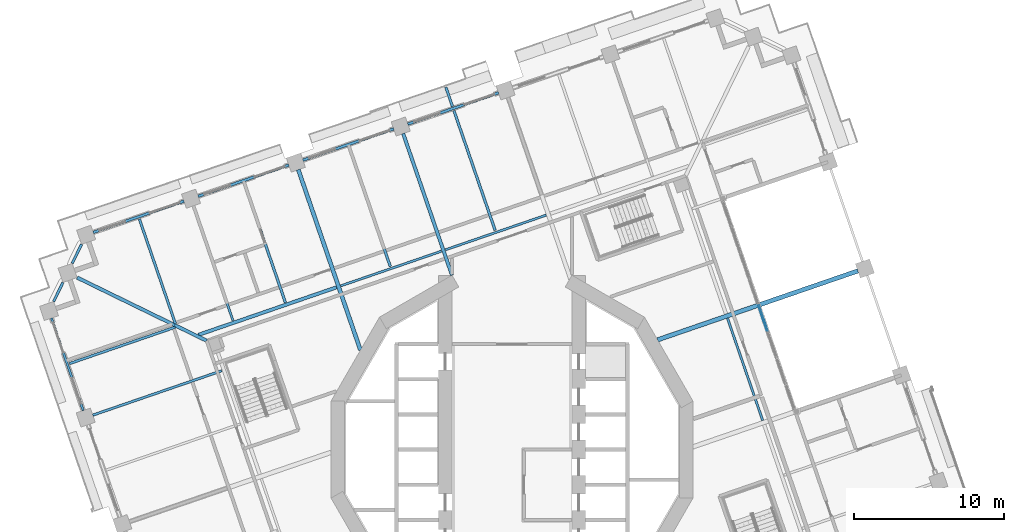
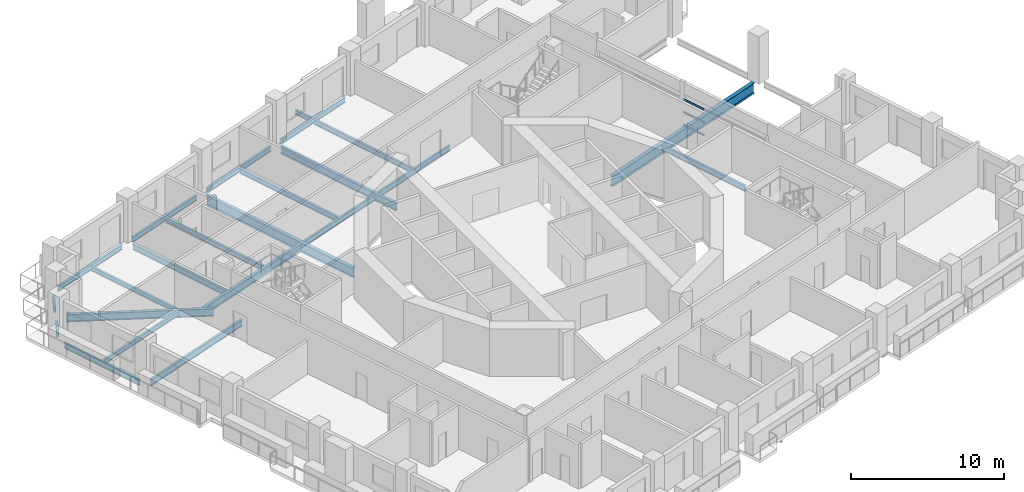
# One storey, part 3 of 19: 23 beams, 3 members, 1 element without a shape of its own.
"""IFC4 building model written with IfcOpenShell, lengths in metres."""

from ifc_helpers import new_model, si_unit, direction, frame, origin, origin_2d, place, context, subcontext, project, spatial, rectangle, i_section, extrude, material, material_profile, profile_set, type_object, element, aggregate, save


model = new_model("IFC4")

# Units and contexts
model_context = context("Model", 3, precision=1e-05, world=origin(), true_north=direction((0.0, 1.0)))
body_context = subcontext(model_context, "Body", "Model", "MODEL_VIEW")
ifc_project = project(units=[si_unit("LENGTHUNIT", "METRE"), si_unit("AREAUNIT", "SQUARE_METRE"), si_unit("VOLUMEUNIT", "CUBIC_METRE"), si_unit("PLANEANGLEUNIT", "RADIAN"), si_unit("MASSUNIT", "GRAM", prefix="KILO")], contexts=[model_context])

# Site, building, storey
site_placement = place(None, origin())
site = spatial("IfcSite", under=ifc_project, at=site_placement, CompositionType="ELEMENT")
building_placement = place(site_placement, origin())
building = spatial("IfcBuilding", under=site, at=building_placement, Name="Cantera Rosa Tower", CompositionType="ELEMENT")
storey_placement = place(building_placement, frame((0.0, 0.0, 126.89990234375)))
storey = spatial("IfcBuildingStorey", under=building, at=storey_placement, Name="L26", CompositionType="ELEMENT", Elevation=126.89990234375)

# Curtain wall, members
ifc_material_1 = material(Name="Aluminium frame with clear glass", Category="aluminium")
curtain_wall_type = type_object("IfcCurtainWallType", Name="CW1 TERRACE POCKET GLAZING", PredefinedType="NOTDEFINED", material=ifc_material_1)
curtain_wall_placement = place(storey_placement, origin())
curtain_wall = element("IfcCurtainWall", 1, at=curtain_wall_placement, inside=storey, type_object=curtain_wall_type, Name="CW1 CW1", PredefinedType="NOTDEFINED")
ifc_material_2 = material(Name="Anodised bronze aluminium", Category="aluminium")
ifc_material_profile_1 = material_profile(ifc_material_2, rectangle(XDim=0.06005859375, YDim=0.139892578125, at=origin_2d()), Name="CW-TRANSOM 60x140 POCKET")
ifc_profile_set_1 = profile_set([ifc_material_profile_1], Name="Anodised bronze aluminium")
member_type = type_object("IfcMemberType", Name="CW-TRANSOM 60x140 POCKET", PredefinedType="USERDEFINED", material=ifc_profile_set_1)
member_1_placement = place(storey_placement, frame((17.049072265625, 7.923583984375, 0.030029296875), z_axis=(-0.325506938428, 0.945539651752, 0.0), x_axis=(-0.945539651752, -0.325506938428, 0.0)))
member_1 = element("IfcMember", 2, at=member_1_placement, type_object=member_type, Name="CW1 transom 4.1", ObjectType="TRANSOM", PredefinedType="USERDEFINED", context=body_context, shape_type="SweptSolid", body=[
    extrude(rectangle(XDim=0.06005859375, YDim=0.139892578125, at=origin_2d()), origin(), (0.0, 0.0, 1.0), 1.788818359375),
])
member_2_placement = place(storey_placement, frame((17.049072265625, 7.923583984375, 1.052001953125), z_axis=(-0.325506938428, 0.945539651752, 0.0), x_axis=(-0.945539651752, -0.325506938428, 0.0)))
member_2 = element("IfcMember", 3, at=member_2_placement, type_object=member_type, Name="CW1 transom 4.2", ObjectType="TRANSOM", PredefinedType="USERDEFINED", context=body_context, shape_type="SweptSolid", body=[
    extrude(rectangle(XDim=0.06005859375, YDim=0.139892578125, at=origin_2d()), origin(), (0.0, 0.0, 1.0), 1.788818359375),
])
member_3_placement = place(storey_placement, frame((17.049072265625, 7.923583984375, 2.07421875), z_axis=(-0.325506938428, 0.945539651752, 0.0), x_axis=(-0.945539651752, -0.325506938428, 0.0)))
member_3 = element("IfcMember", 4, at=member_3_placement, type_object=member_type, Name="CW1 transom 4.3", ObjectType="TRANSOM", PredefinedType="USERDEFINED", context=body_context, shape_type="SweptSolid", body=[
    extrude(rectangle(XDim=0.06005859375, YDim=0.139892578125, at=origin_2d()), origin(), (0.0, 0.0, 1.0), 1.788818359375),
])
aggregate(curtain_wall, [member_1, member_2, member_3])

# Beams
ifc_material_3 = material(Name="Steel ASTM A992 (Fy 345 MPa)", Category="steel")
ifc_material_profile_2 = material_profile(ifc_material_3, i_section(OverallWidth=0.154052734375, OverallDepth=0.4599609375, WebThickness=0.009033203125, FlangeThickness=0.015380859375, FilletRadius=0.01025390625, at=origin_2d()), Name="W460X68")
ifc_profile_set_2 = profile_set([ifc_material_profile_2], Name="Steel ASTM A992 (Fy 345 MPa)")
beam_type_1 = type_object("IfcBeamType", Name="STEEL BEAM W460X68", PredefinedType="BEAM", material=ifc_profile_set_2)
beam_1_placement = place(storey_placement, frame((-21.25390625, 16.2666015625, -0.47998046875), z_axis=(0.325580085327, -0.945514467387, 0.0), x_axis=(0.945514467387, 0.325580085327, 0.0)))
element("IfcBeam", 5, at=beam_1_placement, inside=storey, type_object=beam_type_1, Name="G-Z2-09 L26", PredefinedType="BEAM", context=body_context, shape_type="SweptSolid", body=[
    extrude(i_section(OverallWidth=0.154052734375, OverallDepth=0.4599609375, WebThickness=0.009033203125, FlangeThickness=0.015380859375, FilletRadius=0.01025390625, at=origin_2d()), origin(), (0.0, 0.0, 1.0), 8.10009765625),
])
beam_2_placement = place(storey_placement, frame((-11.42919921875, 10.924072265625, -0.47998046875), z_axis=(0.945518325606, 0.32556888049, 0.0), x_axis=(-0.32556888049, 0.945518325606, 0.0)))
element("IfcBeam", 6, at=beam_2_placement, inside=storey, type_object=beam_type_1, Name="RB-Z2-02 L26", PredefinedType="BEAM", context=body_context, shape_type="SweptSolid", body=[
    extrude(i_section(OverallWidth=0.154052734375, OverallDepth=0.4599609375, WebThickness=0.009033203125, FlangeThickness=0.015380859375, FilletRadius=0.01025390625, at=origin_2d()), origin(), (0.0, 0.0, 1.0), 7.099853515625),
])
beam_3_placement = place(storey_placement, frame((-4.432373046875, 13.333251953125, -0.47998046875), z_axis=(0.945507740063, 0.325599621437, 0.0), x_axis=(-0.325599621437, 0.945507740063, 0.0)))
element("IfcBeam", 7, at=beam_3_placement, inside=storey, type_object=beam_type_1, Name="RB-Z2-03 L26", PredefinedType="BEAM", context=body_context, shape_type="SweptSolid", body=[
    extrude(i_section(OverallWidth=0.154052734375, OverallDepth=0.4599609375, WebThickness=0.009033203125, FlangeThickness=0.015380859375, FilletRadius=0.01025390625, at=origin_2d()), origin(), (0.0, 0.0, 1.0), 7.10009765625),
])
beam_4_placement = place(storey_placement, frame((16.72900390625, 1.9423828125, -0.47998046875), z_axis=(-0.325575881702, 0.94551591486, 0.0), x_axis=(-0.94551591486, -0.325575881702, 0.0)))
element("IfcBeam", 8, at=beam_4_placement, inside=storey, type_object=beam_type_1, Name="RB-Z2-10 L26", PredefinedType="BEAM", context=body_context, shape_type="SweptSolid", body=[
    extrude(i_section(OverallWidth=0.154052734375, OverallDepth=0.4599609375, WebThickness=0.009033203125, FlangeThickness=0.015380859375, FilletRadius=0.01025390625, at=origin_2d()), origin(), (0.0, 0.0, 1.0), 7.2197265625),
])
ifc_material_4 = material(Name="Steel ASTM A992 (Fy 345 MPa)", Category="steel")
ifc_material_profile_3 = material_profile(ifc_material_4, i_section(OverallWidth=0.166015625, OverallDepth=0.528076171875, WebThickness=0.009765625, FlangeThickness=0.013671875, FilletRadius=0.0126953125, at=origin_2d()), Name="W530X74")
ifc_profile_set_3 = profile_set([ifc_material_profile_3], Name="Steel ASTM A992 (Fy 345 MPa)")
beam_type_2 = type_object("IfcBeamType", Name="STEEL BEAM W530X74", PredefinedType="BEAM", material=ifc_profile_set_3)
beam_5_placement = place(storey_placement, frame((-27.97216796875, 2.29833984375, -0.513916015625), z_axis=(0.94551971591, 0.325564842737, 0.0), x_axis=(-0.325564842737, 0.94551971591, 0.0)))
element("IfcBeam", 9, at=beam_5_placement, inside=storey, type_object=beam_type_2, Name="G-Z2-15 L26", PredefinedType="BEAM", context=body_context, shape_type="SweptSolid", body=[
    extrude(i_section(OverallWidth=0.166015625, OverallDepth=0.528076171875, WebThickness=0.009765625, FlangeThickness=0.013671875, FilletRadius=0.0126953125, at=origin_2d()), origin(), (0.0, 0.0, 1.0), 9.10009765625),
])
ifc_material_5 = material(Name="Steel ASTM A992 (Fy 345 MPa)", Category="steel")
ifc_material_profile_4 = material_profile(ifc_material_5, i_section(OverallWidth=0.22802734375, OverallDepth=0.60205078125, WebThickness=0.010498046875, FlangeThickness=0.014892578125, FilletRadius=0.0126953125, at=origin_2d()), Name="W610X101")
ifc_profile_set_4 = profile_set([ifc_material_profile_4], Name="Steel ASTM A992 (Fy 345 MPa)")
beam_type_3 = type_object("IfcBeamType", Name="STEEL BEAM W610X101", PredefinedType="BEAM", material=ifc_profile_set_4)
beam_6_placement = place(storey_placement, frame((-29.017822265625, 11.47802734375, -0.55078125), z_axis=(0.898796015179, -0.438367109965, 0.0), x_axis=(0.438367109965, 0.898796015179, 0.0)))
element("IfcBeam", 10, at=beam_6_placement, inside=storey, type_object=beam_type_3, Name="CB-Z2-02 L26", PredefinedType="BEAM", context=body_context, shape_type="SweptSolid", body=[
    extrude(i_section(OverallWidth=0.22802734375, OverallDepth=0.60205078125, WebThickness=0.010498046875, FlangeThickness=0.014892578125, FilletRadius=0.0126953125, at=origin_2d()), origin(), (0.0, 0.0, 1.0), 9.616455078125),
])
beam_7_placement = place(storey_placement, frame((-7.26025390625, 21.0849609375, -0.55078125), z_axis=(0.325587365823, -0.945511960377, 0.0), x_axis=(0.945511960377, 0.325587365823, 0.0)))
element("IfcBeam", 11, at=beam_7_placement, inside=storey, type_object=beam_type_3, Name="G-Z2-07 L26", PredefinedType="BEAM", context=body_context, shape_type="SweptSolid", body=[
    extrude(i_section(OverallWidth=0.22802734375, OverallDepth=0.60205078125, WebThickness=0.010498046875, FlangeThickness=0.014892578125, FilletRadius=0.0126953125, at=origin_2d()), origin(), (0.0, 0.0, 1.0), 10.0),
])
ifc_material_6 = material(Name="Steel ASTM A992 (Fy 345 MPa)", Category="steel")
ifc_material_profile_5 = material_profile(ifc_material_6, i_section(OverallWidth=0.22900390625, OverallDepth=0.612060546875, WebThickness=0.011962890625, FlangeThickness=0.01953125, FilletRadius=0.0126953125, at=origin_2d()), Name="W610X125")
ifc_profile_set_5 = profile_set([ifc_material_profile_5], Name="Steel ASTM A992 (Fy 345 MPa)")
beam_type_4 = type_object("IfcBeamType", Name="STEEL BEAM W610X125", PredefinedType="BEAM", material=ifc_profile_set_5)
beam_8_placement = place(storey_placement, frame((-20.931640625, 7.652099609375, -0.555908203125), z_axis=(0.945517116269, 0.32557239263, 0.0), x_axis=(-0.32557239263, 0.945517116269, 0.0)))
element("IfcBeam", 12, at=beam_8_placement, inside=storey, type_object=beam_type_4, Name="RB-Z2-01 L26", PredefinedType="BEAM", context=body_context, shape_type="SweptSolid", body=[
    extrude(i_section(OverallWidth=0.22900390625, OverallDepth=0.612060546875, WebThickness=0.011962890625, FlangeThickness=0.01953125, FilletRadius=0.0126953125, at=origin_2d()), origin(), (0.0, 0.0, 1.0), 9.75),
])
ifc_material_7 = material(Name="Steel ASTM A992 (Fy 345 MPa)", Category="steel")
ifc_material_profile_6 = material_profile(ifc_material_7, i_section(OverallWidth=0.26708984375, OverallDepth=0.75390625, WebThickness=0.01318359375, FlangeThickness=0.01708984375, FilletRadius=0.0166015625, at=origin_2d()), Name="W760X147")
ifc_profile_set_6 = profile_set([ifc_material_profile_6], Name="Steel ASTM A992 (Fy 345 MPa)")
beam_type_5 = type_object("IfcBeamType", Name="STEEL BEAM W760X147", PredefinedType="BEAM", material=ifc_profile_set_6)
beam_9_placement = place(storey_placement, frame((-14.257080078125, 18.67578125, -0.626953125), z_axis=(0.325575880476, -0.945515915282, 0.0), x_axis=(0.945515915282, 0.325575880476, 0.0)))
element("IfcBeam", 13, at=beam_9_placement, inside=storey, type_object=beam_type_5, Name="G-Z2-08 L26", PredefinedType="BEAM", context=body_context, shape_type="SweptSolid", body=[
    extrude(i_section(OverallWidth=0.26708984375, OverallDepth=0.75390625, WebThickness=0.01318359375, FlangeThickness=0.01708984375, FilletRadius=0.0166015625, at=origin_2d()), origin(), (0.0, 0.0, 1.0), 12.734375),
])
ifc_material_8 = material(Name="Steel ASTM A992 (Fy 345 MPa)", Category="steel")
ifc_material_profile_7 = material_profile(ifc_material_8, i_section(OverallWidth=0.2919921875, OverallDepth=0.8359375, WebThickness=0.013916015625, FlangeThickness=0.018798828125, FilletRadius=0.017822265625, at=origin_2d()), Name="W840X176")
ifc_profile_set_7 = profile_set([ifc_material_profile_7], Name="Steel ASTM A992 (Fy 345 MPa)")
beam_type_6 = type_object("IfcBeamType", Name="STEEL BEAM W840X176", PredefinedType="BEAM", material=ifc_profile_set_7)
beam_10_placement = place(storey_placement, frame((23.07568359375, 11.92236328125, -0.66796875), z_axis=(-0.945516836256, -0.325573205833, 0.0), x_axis=(0.325573205833, -0.945516836256, 0.0)))
element("IfcBeam", 14, at=beam_10_placement, inside=storey, type_object=beam_type_6, Name="G-Z2-03 L26", PredefinedType="BEAM", context=body_context, shape_type="SweptSolid", body=[
    extrude(i_section(OverallWidth=0.2919921875, OverallDepth=0.8359375, WebThickness=0.013916015625, FlangeThickness=0.018798828125, FilletRadius=0.017822265625, at=origin_2d()), origin(), (0.0, 0.0, 1.0), 14.130615234375),
])
ifc_material_9 = material(Name="Steel ASTM A992 (Fy 345 MPa)", Category="steel")
ifc_material_profile_8 = material_profile(ifc_material_9, i_section(OverallWidth=0.1708984375, OverallDepth=0.35595703125, WebThickness=0.00732421875, FlangeThickness=0.01171875, FilletRadius=0.010009765625, at=origin_2d()), Name="W360X51")
ifc_profile_set_8 = profile_set([ifc_material_profile_8], Name="Steel ASTM A992 (Fy 345 MPa)")
beam_type_7 = type_object("IfcBeamType", Name="STEEL JOIST W360X51", PredefinedType="JOIST", material=ifc_profile_set_8)
beam_11_placement = place(storey_placement, frame((-24.8662109375, 15.39306640625, -0.427978515625), z_axis=(0.325565645331, -0.945519439557, 0.0), x_axis=(0.945519439557, 0.325565645331, 0.0)))
element("IfcBeam", 15, at=beam_11_placement, inside=storey, type_object=beam_type_7, Name="B-Z2-11 L26", PredefinedType="JOIST", context=body_context, shape_type="SweptSolid", body=[
    extrude(i_section(OverallWidth=0.1708984375, OverallDepth=0.35595703125, WebThickness=0.00732421875, FlangeThickness=0.01171875, FilletRadius=0.010009765625, at=origin_2d()), origin(), (0.0, 0.0, 1.0), 7.39990234375),
])
beam_12_placement = place(storey_placement, frame((-29.52734375, 5.739501953125, -0.427978515625), z_axis=(0.945521732807, 0.325558985116, 0.0), x_axis=(-0.325558985116, 0.945521732807, 0.0)))
element("IfcBeam", 16, at=beam_12_placement, inside=storey, type_object=beam_type_7, Name="B-Z2-18 L26", PredefinedType="JOIST", context=body_context, shape_type="SweptSolid", body=[
    extrude(i_section(OverallWidth=0.1708984375, OverallDepth=0.35595703125, WebThickness=0.00732421875, FlangeThickness=0.01171875, FilletRadius=0.010009765625, at=origin_2d()), origin(), (0.0, 0.0, 1.0), 7.460205078125),
])
beam_13_placement = place(storey_placement, frame((-3.966796875, 22.88525390625, -0.427978515625), z_axis=(-0.325633232833, 0.945496164812, 0.0), x_axis=(-0.945496164812, -0.325633232833, 0.0)))
element("IfcBeam", 17, at=beam_13_placement, inside=storey, type_object=beam_type_7, Name="BS-Z2-14 L26", PredefinedType="JOIST", context=body_context, shape_type="SweptSolid", body=[
    extrude(i_section(OverallWidth=0.1708984375, OverallDepth=0.35595703125, WebThickness=0.00732421875, FlangeThickness=0.01171875, FilletRadius=0.010009765625, at=origin_2d()), origin(), (0.0, 0.0, 1.0), 1.3681640625),
])
ifc_material_10 = material(Name="Steel ASTM A992 (Fy 345 MPa)", Category="steel")
ifc_material_profile_9 = material_profile(ifc_material_10, i_section(OverallWidth=0.177978515625, OverallDepth=0.406005859375, WebThickness=0.0078125, FlangeThickness=0.0126953125, FilletRadius=0.01025390625, at=origin_2d()), Name="W410X60")
ifc_profile_set_9 = profile_set([ifc_material_profile_9], Name="Steel ASTM A992 (Fy 345 MPa)")
beam_type_8 = type_object("IfcBeamType", Name="STEEL JOIST W410X60", PredefinedType="JOIST", material=ifc_profile_set_9)
for number, where, z_axis, x_axis, name in (
    (18, (-3.875732421875, 22.62060546875, -0.452880859375), (0.325556131421, -0.945522715377, 0.0), (0.945522715377, 0.325556131421, 0.0), "B-Z2-08 L26"),
    (19, (-10.87255859375, 20.21142578125, -0.452880859375), (0.325556131421, -0.945522715377, 0.0), (0.945522715377, 0.325556131421, 0.0), "B-Z2-09 L26"),
    (20, (-17.869384765625, 17.80224609375, -0.452880859375), (0.325556131421, -0.945522715377, 0.0), (0.945522715377, 0.325556131421, 0.0), "B-Z2-10 L26"),
):
    element("IfcBeam", number, at=place(storey_placement, frame(where, z_axis=z_axis, x_axis=x_axis)), inside=storey, type_object=beam_type_8, Name=name, PredefinedType="JOIST", context=body_context, shape_type="SweptSolid", body=[
        extrude(i_section(OverallWidth=0.177978515625, OverallDepth=0.406005859375, WebThickness=0.0078125, FlangeThickness=0.0126953125, FilletRadius=0.01025390625, at=origin_2d()), origin(), (0.0, 0.0, 1.0), 8.4501953125),
    ])
ifc_material_11 = material(Name="Steel ASTM A992 (Fy 345 MPa)", Category="steel")
ifc_material_profile_10 = material_profile(ifc_material_11, i_section(OverallWidth=0.1708984375, OverallDepth=0.35595703125, WebThickness=0.00732421875, FlangeThickness=0.01171875, FilletRadius=0.010009765625, at=origin_2d()), Name="W360X51")
ifc_profile_set_10 = profile_set([ifc_material_profile_10], Name="Steel ASTM A992 (Fy 345 MPa)")
beam_type_9 = type_object("IfcBeamType", Name="STEEL SPANDREL BEAM W360X51", PredefinedType="SPANDREL", material=ifc_profile_set_10)
for number, where, z_axis, x_axis, name in (
    (21, (-28.723388671875, 13.694580078125, -0.427978515625), (-0.438491655897, -0.898735260079, 0.0), (0.898735260079, -0.438491655897, 0.0), "EB-Z2-14 L26"),
    (22, (-29.96337890625, 11.152587890625, -0.427978515625), (-0.438284186308, -0.898836454552, 0.0), (0.898836454552, -0.438284186308, 0.0), "EB-Z2-15 L26"),
):
    element("IfcBeam", number, at=place(storey_placement, frame(where, z_axis=z_axis, x_axis=x_axis)), inside=storey, type_object=beam_type_9, Name=name, PredefinedType="SPANDREL", context=body_context, shape_type="SweptSolid", body=[
        extrude(i_section(OverallWidth=0.1708984375, OverallDepth=0.35595703125, WebThickness=0.00732421875, FlangeThickness=0.01171875, FilletRadius=0.010009765625, at=origin_2d()), origin(), (0.0, 0.0, 1.0), 1.414306640625),
    ])
ifc_material_12 = material(Name="Steel ASTM A992 (Fy 345 MPa)", Category="steel")
ifc_material_profile_11 = material_profile(ifc_material_12, i_section(OverallWidth=0.177978515625, OverallDepth=0.406005859375, WebThickness=0.0078125, FlangeThickness=0.0126953125, FilletRadius=0.01025390625, at=origin_2d()), Name="W410X60")
ifc_profile_set_11 = profile_set([ifc_material_profile_11], Name="Steel ASTM A992 (Fy 345 MPa)")
beam_type_10 = type_object("IfcBeamType", Name="STEEL SPANDREL BEAM W410X60", PredefinedType="SPANDREL", material=ifc_profile_set_11)
for number, where, z_axis, x_axis, name in (
    (23, (-0.89892578125, 23.80419921875, -0.452880859375), (-0.945524496524, -0.325550958337, 0.0), (0.325550958337, -0.945524496524, 0.0), "EB-Z2-10 L26"),
    (24, (-7.895751953125, 21.39501953125, -0.452880859375), (-0.945524496524, -0.325550958337, 0.0), (0.325550958337, -0.945524496524, 0.0), "EB-Z2-11 L26"),
    (25, (-14.892578125, 18.98583984375, -0.452880859375), (-0.945512753621, -0.325585062219, 0.0), (0.325585062219, -0.945512753621, 0.0), "EB-Z2-12 L26"),
    (26, (-21.889404296875, 16.57666015625, -0.452880859375), (-0.945512753621, -0.325585062219, 0.0), (0.325585062219, -0.945512753621, 0.0), "EB-Z2-13 L26"),
):
    element("IfcBeam", number, at=place(storey_placement, frame(where, z_axis=z_axis, x_axis=x_axis)), inside=storey, type_object=beam_type_10, Name=name, PredefinedType="SPANDREL", context=body_context, shape_type="SweptSolid", body=[
        extrude(i_section(OverallWidth=0.177978515625, OverallDepth=0.406005859375, WebThickness=0.0078125, FlangeThickness=0.0126953125, FilletRadius=0.01025390625, at=origin_2d()), origin(), (0.0, 0.0, 1.0), 6.39990234375),
    ])
ifc_material_13 = material(Name="Steel ASTM A992 (Fy 345 MPa)", Category="steel")
ifc_material_profile_12 = material_profile(ifc_material_13, i_section(OverallWidth=0.154052734375, OverallDepth=0.4599609375, WebThickness=0.009033203125, FlangeThickness=0.015380859375, FilletRadius=0.01025390625, at=origin_2d()), Name="W460X68")
ifc_profile_set_12 = profile_set([ifc_material_profile_12], Name="Steel ASTM A992 (Fy 345 MPa)")
beam_type_11 = type_object("IfcBeamType", Name="STEEL SPANDREL BEAM W460X68", PredefinedType="SPANDREL", material=ifc_profile_set_12)
beam_14_placement = place(storey_placement, frame((-30.73046875, 8.773193359375, -0.47998046875), z_axis=(0.325580990241, -0.945514155787, 0.0), x_axis=(0.945514155787, 0.325580990241, 0.0)))
element("IfcBeam", 27, at=beam_14_placement, inside=storey, type_object=beam_type_11, Name="EB-Z2-16 L26", PredefinedType="SPANDREL", context=body_context, shape_type="SweptSolid", body=[
    extrude(i_section(OverallWidth=0.154052734375, OverallDepth=0.4599609375, WebThickness=0.009033203125, FlangeThickness=0.015380859375, FilletRadius=0.01025390625, at=origin_2d()), origin(), (0.0, 0.0, 1.0), 6.52001953125),
])

save(model, "model.ifc")
